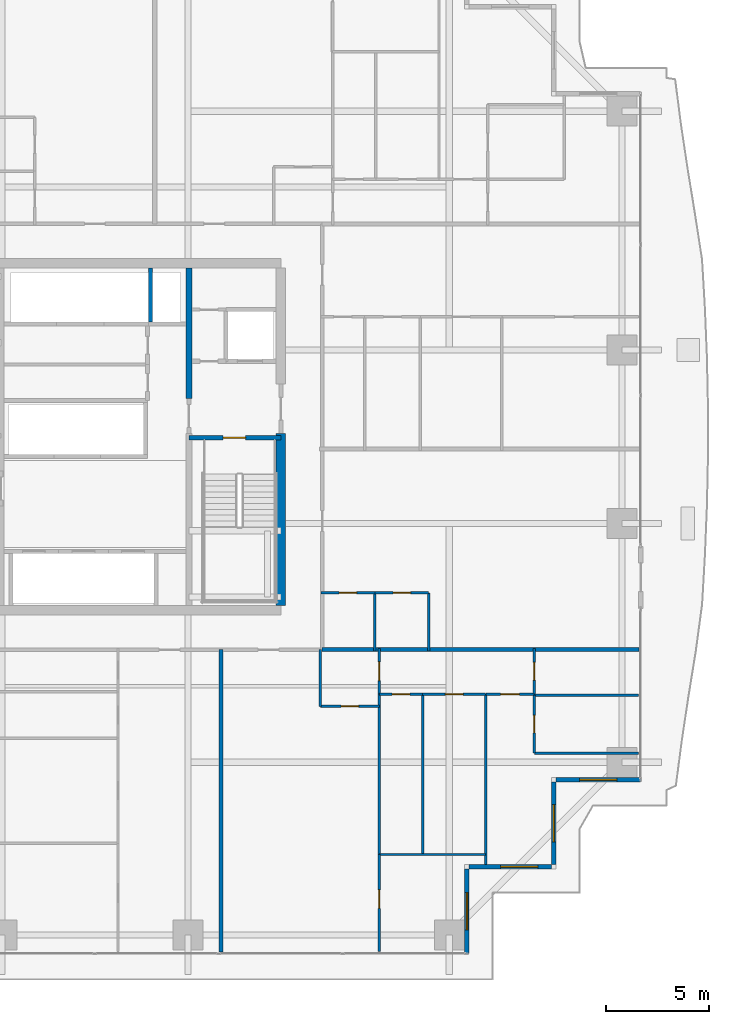
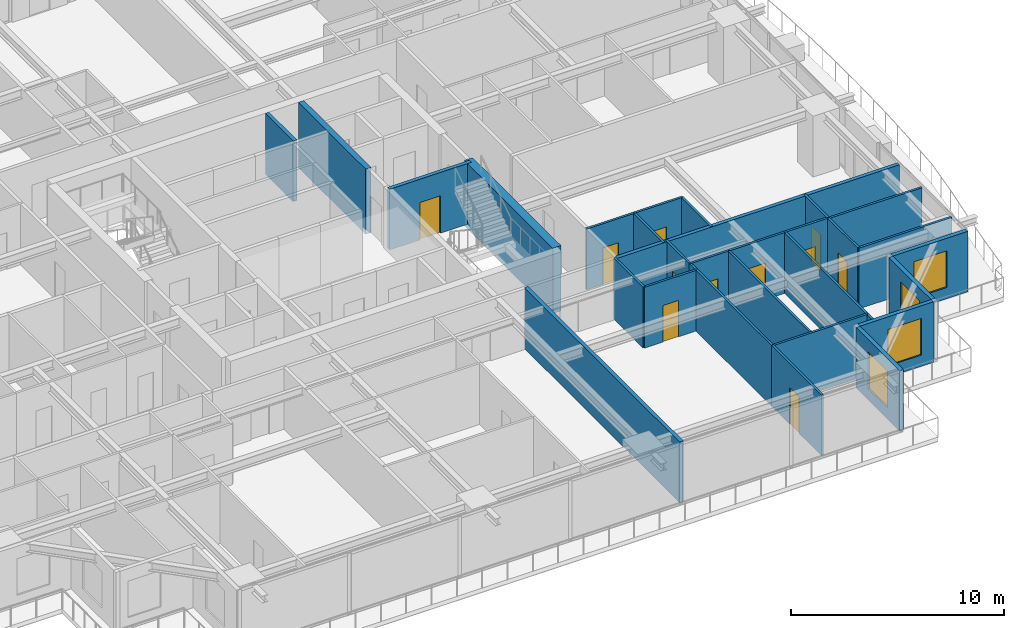
# One storey, part 29 of 38: 29 walls, 11 doors, 4 windows, 15 openings.
"""IFC4 building model written with IfcOpenShell, lengths in metres."""

from ifc_helpers import new_model, si_unit, direction, frame, frame_2d, origin, place, context, subcontext, project, spatial, rectangle, extrude, source, transform, mapped, material, layer, layer_set, type_object, element, fill, save


model = new_model("IFC4")

# Units and contexts
model_context = context("Model", 3, precision=1e-05, world=origin(), true_north=direction((0.0, 1.0)))
body_context = subcontext(model_context, "Body", "Model", "MODEL_VIEW")
ifc_project = project(units=[si_unit("LENGTHUNIT", "METRE"), si_unit("AREAUNIT", "SQUARE_METRE"), si_unit("VOLUMEUNIT", "CUBIC_METRE"), si_unit("PLANEANGLEUNIT", "RADIAN"), si_unit("MASSUNIT", "GRAM", prefix="KILO")], contexts=[model_context])

# Site, building, storey
site_placement = place(None, origin())
site = spatial("IfcSite", under=ifc_project, at=site_placement, CompositionType="ELEMENT")
building_placement = place(site_placement, origin())
building = spatial("IfcBuilding", under=site, at=building_placement, Name="Serunith Strait Residences", CompositionType="ELEMENT")
storey_placement = place(building_placement, frame((0.0, 0.0, 37.949951171875)))
storey = spatial("IfcBuildingStorey", under=building, at=storey_placement, Name="L08", CompositionType="ELEMENT", Elevation=37.949951171875)

# Wall, opening, window
ifc_material_1 = material(Name="Pale-Champagne Aluminium Insulated Panel", Category="aluminium")
ifc_layer_1 = layer(ifc_material_1, 0.219970703125, Name="Pale-Champagne Aluminium Insulated Panel")
ifc_layer_set_1 = layer_set([ifc_layer_1], Name="Pale-Champagne Aluminium Insulated Panel")
wall_type_1 = type_object("IfcWallType", Name="EW-ALUM-220", PredefinedType="ELEMENTEDWALL", material=ifc_layer_set_1)
wall_1_placement = place(storey_placement, frame((50.39990234375, 0.199951171875, 0.0), z_axis=(0.0, 0.0, 1.0), x_axis=(0.0, 1.0, 0.0)))
wall_1 = element("IfcWall", 1, at=wall_1_placement, inside=storey, type_object=wall_type_1, Name="L08 Girih Serrated Corner Wall 02", PredefinedType="ELEMENTEDWALL", context=body_context, shape_type="SweptSolid", body=[
    extrude(rectangle(XDim=4.090087890625, YDim=0.219970703125, at=frame_2d((2.044921875, 0.0))), origin(), (0.0, 0.0, 1.0), 3.47509765625),
])
opening_1_placement = place(wall_1_placement, frame((1.14501953125, 0.0, 0.64990234375)))
opening_1 = element("IfcOpeningElement", 2, at=opening_1_placement, cuts=wall_1, Name="Opening W-01", PredefinedType="OPENING", context=body_context, shape_type="SweptSolid", body=[
    extrude(rectangle(XDim=1.800048828125, YDim=2.10009765625, at=frame_2d((0.89990234375, 1.050048828125))), frame((0.0, 0.1201171875, 0.0), z_axis=(0.0, -1.0, 0.0), x_axis=(1.0, 0.0, 0.0)), (0.0, 0.0, 1.0), 0.239990234375),
])
ifc_material_2 = material(Name="Ceramic-Fritted Operable Aluminium Window Glass", Category="aluminium")
window_type = type_object("IfcWindowType", Name="WIN-C1", PartitioningType="DOUBLE_PANEL_VERTICAL", PredefinedType="WINDOW", material=ifc_material_2)
shared_shape_1 = source(origin(), body_context, "Body", "SweptSolid", [
    extrude(rectangle(XDim=1.800048828125, YDim=2.10009765625, at=frame_2d((0.89990234375, 1.050048828125))), frame((0.0, 0.030029296875, 0.0), z_axis=(0.0, -1.0, 0.0), x_axis=(1.0, 0.0, 0.0)), (0.0, 0.0, 1.0), 0.06005859375),
])
window_1_placement = place(opening_1_placement, origin())
window_1 = element("IfcWindow", 3, at=window_1_placement, inside=storey, type_object=window_type, Name="L08 Corner Operable Fritted Window 02", OverallHeight=2.10009765625, OverallWidth=1.800048828125, PartitioningType="SINGLE_PANEL", PredefinedType="WINDOW", context=body_context, shape_type="MappedRepresentation", body=[
    mapped(shared_shape_1, transform((0.0, 0.0, 0.0), scale=1.0)),
])
fill(opening_1, window_1)

wall_2_placement = place(storey_placement, frame((50.510009765625, 4.39990234375, 0.0), z_axis=(0.0, 0.0, 1.0), x_axis=(1.0, 0.0, 0.0)))
wall_2 = element("IfcWall", 4, at=wall_2_placement, inside=storey, type_object=wall_type_1, Name="L08 Girih Serrated Corner Wall 03", PredefinedType="ELEMENTEDWALL", context=body_context, shape_type="SweptSolid", body=[
    extrude(rectangle(XDim=3.97998046875, YDim=0.219970703125, at=frame_2d((1.989990234375, 0.0))), origin(), (0.0, 0.0, 1.0), 3.47509765625),
])
opening_2_placement = place(wall_2_placement, frame((1.52587890625, 0.0, 0.64990234375)))
opening_2 = element("IfcOpeningElement", 5, at=opening_2_placement, cuts=wall_2, Name="Opening W-01", PredefinedType="OPENING", context=body_context, shape_type="SweptSolid", body=[
    extrude(rectangle(XDim=1.800048828125, YDim=2.10009765625, at=frame_2d((0.89990234375, 1.050048828125))), frame((0.0, 0.1201171875, 0.0), z_axis=(0.0, -1.0, 0.0), x_axis=(1.0, 0.0, 0.0)), (0.0, 0.0, 1.0), 0.239990234375),
])
window_2_placement = place(opening_2_placement, origin())
window_2 = element("IfcWindow", 6, at=window_2_placement, inside=storey, type_object=window_type, Name="L08 Corner Operable Fritted Window 03", OverallHeight=2.10009765625, OverallWidth=1.800048828125, PartitioningType="SINGLE_PANEL", PredefinedType="WINDOW", context=body_context, shape_type="MappedRepresentation", body=[
    mapped(shared_shape_1, transform((0.0, 0.0, 0.0), scale=1.0)),
])
fill(opening_2, window_2)

wall_3_placement = place(storey_placement, frame((54.60009765625, 4.510009765625, 0.0), z_axis=(0.0, 0.0, 1.0), x_axis=(0.0, 1.0, 0.0)))
wall_3 = element("IfcWall", 7, at=wall_3_placement, inside=storey, type_object=wall_type_1, Name="L08 Girih Serrated Corner Wall 04", PredefinedType="ELEMENTEDWALL", context=body_context, shape_type="SweptSolid", body=[
    extrude(rectangle(XDim=3.97998046875, YDim=0.219970703125, at=frame_2d((1.989990234375, 0.0))), origin(), (0.0, 0.0, 1.0), 3.47509765625),
])
opening_3_placement = place(wall_3_placement, frame((1.090087890625, 0.0, 0.64990234375)))
opening_3 = element("IfcOpeningElement", 8, at=opening_3_placement, cuts=wall_3, Name="Opening W-01", PredefinedType="OPENING", context=body_context, shape_type="SweptSolid", body=[
    extrude(rectangle(XDim=1.800048828125, YDim=2.10009765625, at=frame_2d((0.89990234375, 1.050048828125))), frame((0.0, 0.1201171875, 0.0), z_axis=(0.0, -1.0, 0.0), x_axis=(1.0, 0.0, 0.0)), (0.0, 0.0, 1.0), 0.239990234375),
])
window_3_placement = place(opening_3_placement, origin())
window_3 = element("IfcWindow", 9, at=window_3_placement, inside=storey, type_object=window_type, Name="L08 Corner Operable Fritted Window 04", OverallHeight=2.10009765625, OverallWidth=1.800048828125, PartitioningType="SINGLE_PANEL", PredefinedType="WINDOW", context=body_context, shape_type="MappedRepresentation", body=[
    mapped(shared_shape_1, transform((0.0, 0.0, 0.0), scale=1.0)),
])
fill(opening_3, window_3)

wall_4_placement = place(storey_placement, frame((54.7099609375, 8.60009765625, 0.0), z_axis=(0.0, 0.0, 1.0), x_axis=(1.0, 0.0, 0.0)))
wall_4 = element("IfcWall", 10, at=wall_4_placement, inside=storey, type_object=wall_type_1, Name="L08 Girih Serrated Corner Wall 05", PredefinedType="ELEMENTEDWALL", context=body_context, shape_type="SweptSolid", body=[
    extrude(rectangle(XDim=4.090087890625, YDim=0.219970703125, at=frame_2d((2.044921875, 0.0))), origin(), (0.0, 0.0, 1.0), 3.47509765625),
])
opening_4_placement = place(wall_4_placement, frame((1.14501953125, 0.0, 0.64990234375)))
opening_4 = element("IfcOpeningElement", 11, at=opening_4_placement, cuts=wall_4, Name="Opening W-01", PredefinedType="OPENING", context=body_context, shape_type="SweptSolid", body=[
    extrude(rectangle(XDim=1.800048828125, YDim=2.10009765625, at=frame_2d((0.89990234375, 1.050048828125))), frame((0.0, 0.1201171875, 0.0), z_axis=(0.0, -1.0, 0.0), x_axis=(1.0, 0.0, 0.0)), (0.0, 0.0, 1.0), 0.239990234375),
])
window_4_placement = place(opening_4_placement, origin())
window_4 = element("IfcWindow", 12, at=window_4_placement, inside=storey, type_object=window_type, Name="L08 Corner Operable Fritted Window 05", OverallHeight=2.10009765625, OverallWidth=1.800048828125, PartitioningType="SINGLE_PANEL", PredefinedType="WINDOW", context=body_context, shape_type="MappedRepresentation", body=[
    mapped(shared_shape_1, transform((0.0, 0.0, 0.0), scale=1.0)),
])
fill(opening_4, window_4)

# Wall, opening, door
ifc_material_3 = material(Name="Lightweight steel-stud gypsum partition", Category="steel")
ifc_layer_2 = layer(ifc_material_3, 0.1201171875, Name="Lightweight steel-stud gypsum partition")
ifc_layer_set_2 = layer_set([ifc_layer_2], Name="Lightweight steel-stud gypsum partition")
wall_type_2 = type_object("IfcWallType", Name="IW-PART-120", PredefinedType="PARTITIONING", material=ifc_layer_set_2)
wall_5_placement = place(storey_placement, frame((43.31005859375, 12.14990234375, 0.0), z_axis=(0.0, 0.0, 1.0), x_axis=(1.0, 0.0, 0.0)))
wall_5 = element("IfcWall", 13, at=wall_5_placement, inside=storey, type_object=wall_type_2, Name="L08 Partition Wall 053", PredefinedType="PARTITIONING", context=body_context, shape_type="SweptSolid", body=[
    extrude(rectangle(XDim=2.849853515625, YDim=0.1201171875, at=frame_2d((1.4248046875, 0.0))), origin(), (0.0, 0.0, 1.0), 3.489990234375),
])
opening_5_placement = place(wall_5_placement, frame((1.0, 0.0, 0.0)))
opening_5 = element("IfcOpeningElement", 14, at=opening_5_placement, cuts=wall_5, Name="Opening D-RM850", PredefinedType="OPENING", context=body_context, shape_type="SweptSolid", body=[
    extrude(rectangle(XDim=0.85009765625, YDim=2.10009765625, at=frame_2d((0.425048828125, 1.050048828125))), frame((0.0, 0.070068359375, 0.0), z_axis=(0.0, -1.0, 0.0), x_axis=(1.0, 0.0, 0.0)), (0.0, 0.0, 1.0), 0.14013671875),
])
ifc_material_4 = material(Name="Engineered timber flush study and kitchen door", Category="wood")
door_type_1 = type_object("IfcDoorType", Name="ID-ROOM-850", OperationType="NOTDEFINED", PredefinedType="DOOR", material=ifc_material_4)
shared_shape_2 = source(origin(), body_context, "Body", "SweptSolid", [
    extrude(rectangle(XDim=0.85009765625, YDim=2.10009765625, at=frame_2d((0.425048828125, 1.050048828125))), frame((0.0, 0.02490234375, 0.0), z_axis=(0.0, -1.0, 0.0), x_axis=(1.0, 0.0, 0.0)), (0.0, 0.0, 1.0), 0.050048828125),
])
door_1_placement = place(opening_5_placement, origin())
door_1 = element("IfcDoor", 15, at=door_1_placement, inside=storey, type_object=door_type_1, Name="L08 Kitchen 0803 Door", OperationType="SINGLE_SWING_RIGHT", OverallHeight=2.10009765625, OverallWidth=0.85009765625, PredefinedType="DOOR", context=body_context, shape_type="MappedRepresentation", body=[
    mapped(shared_shape_2, transform((0.0, 0.0, 0.0), scale=1.0)),
])
fill(opening_5, door_1)

# Wall
wall_6_placement = place(storey_placement, frame((43.31005859375, 12.14990234375, 0.0), z_axis=(0.0, 0.0, 1.0), x_axis=(0.0, 1.0, 0.0)))
element("IfcWall", 16, at=wall_6_placement, inside=storey, type_object=wall_type_2, Name="L08 Partition Wall 054", PredefinedType="PARTITIONING", context=body_context, shape_type="SweptSolid", body=[
    extrude(rectangle(XDim=2.748046875, YDim=0.1201171875, at=frame_2d((1.3740234375, 0.0))), origin(), (0.0, 0.0, 1.0), 3.489990234375),
])

# Wall, opening, door
wall_7_placement = place(storey_placement, frame((46.159912109375, 12.75, 0.0), z_axis=(0.0, 0.0, 1.0), x_axis=(0.0, 1.0, 0.0)))
wall_7 = element("IfcWall", 17, at=wall_7_placement, inside=storey, type_object=wall_type_2, Name="L08 Partition Wall 055", PredefinedType="PARTITIONING", context=body_context, shape_type="SweptSolid", body=[
    extrude(rectangle(XDim=2.2099609375, YDim=0.1201171875, at=frame_2d((1.10498046875, 0.0))), origin(), (0.0, 0.0, 1.0), 3.489990234375),
])
opening_6_placement = place(wall_7_placement, frame((0.655029296875, 0.0, 0.0)))
opening_6 = element("IfcOpeningElement", 18, at=opening_6_placement, cuts=wall_7, Name="Opening D-RM900", PredefinedType="OPENING", context=body_context, shape_type="SweptSolid", body=[
    extrude(rectangle(XDim=0.89990234375, YDim=2.10009765625, at=frame_2d((0.449951171875, 1.050048828125))), frame((0.0, 0.070068359375, 0.0), z_axis=(0.0, -1.0, 0.0), x_axis=(1.0, 0.0, 0.0)), (0.0, 0.0, 1.0), 0.14013671875),
])
ifc_material_5 = material(Name="Engineered timber flush bedroom door", Category="wood")
door_type_2 = type_object("IfcDoorType", Name="ID-ROOM-900", OperationType="NOTDEFINED", PredefinedType="DOOR", material=ifc_material_5)
shared_shape_3 = source(origin(), body_context, "Body", "SweptSolid", [
    extrude(rectangle(XDim=0.89990234375, YDim=2.10009765625, at=frame_2d((0.449951171875, 1.050048828125))), frame((0.0, 0.02490234375, 0.0), z_axis=(0.0, -1.0, 0.0), x_axis=(1.0, 0.0, 0.0)), (0.0, 0.0, 1.0), 0.050048828125),
])
door_2_placement = place(opening_6_placement, origin())
door_2 = element("IfcDoor", 19, at=door_2_placement, inside=storey, type_object=door_type_2, Name="L08 Hall E 0803 Door", OperationType="SINGLE_SWING_LEFT", OverallHeight=2.10009765625, OverallWidth=0.89990234375, PredefinedType="DOOR", context=body_context, shape_type="MappedRepresentation", body=[
    mapped(shared_shape_3, transform((0.0, 0.0, 0.0), scale=1.0)),
])
fill(opening_6, door_2)

wall_8_placement = place(storey_placement, frame((46.159912109375, 0.294921875, 0.0), z_axis=(0.0, 0.0, 1.0), x_axis=(0.0, 1.0, 0.0)))
wall_8 = element("IfcWall", 20, at=wall_8_placement, inside=storey, type_object=wall_type_2, Name="L08 Partition Wall 056", PredefinedType="PARTITIONING", context=body_context, shape_type="SweptSolid", body=[
    extrude(rectangle(XDim=4.693115234375, YDim=0.1201171875, at=frame_2d((2.3466796875, 0.0))), origin(), (0.0, 0.0, 1.0), 3.489990234375),
])
opening_7_placement = place(wall_8_placement, frame((2.0859375, 0.0, 0.0)))
opening_7 = element("IfcOpeningElement", 21, at=opening_7_placement, cuts=wall_8, Name="Opening D-RM900", PredefinedType="OPENING", context=body_context, shape_type="SweptSolid", body=[
    extrude(rectangle(XDim=0.89990234375, YDim=2.10009765625, at=frame_2d((0.449951171875, 1.050048828125))), frame((0.0, 0.070068359375, 0.0), z_axis=(0.0, -1.0, 0.0), x_axis=(1.0, 0.0, 0.0)), (0.0, 0.0, 1.0), 0.14013671875),
])
door_3_placement = place(opening_7_placement, origin())
door_3 = element("IfcDoor", 22, at=door_3_placement, inside=storey, type_object=door_type_2, Name="L08 Study 1 0803 Door", OperationType="SINGLE_SWING_RIGHT", OverallHeight=2.10009765625, OverallWidth=0.89990234375, PredefinedType="DOOR", context=body_context, shape_type="MappedRepresentation", body=[
    mapped(shared_shape_3, transform((0.0, 0.0, 0.0), scale=1.0)),
])
fill(opening_7, door_3)

# Walls
wall_9_placement = place(storey_placement, frame((46.159912109375, 4.989990234375, 0.0), z_axis=(0.0, 0.0, 1.0), x_axis=(0.0, 1.0, 0.0)))
element("IfcWall", 23, at=wall_9_placement, inside=storey, type_object=wall_type_2, Name="L08 Partition Wall 057", PredefinedType="PARTITIONING", context=body_context, shape_type="SweptSolid", body=[
    extrude(rectangle(XDim=7.758056640625, YDim=0.1201171875, at=frame_2d((3.87890625, 0.0))), origin(), (0.0, 0.0, 1.0), 3.489990234375),
])
wall_10_placement = place(storey_placement, frame((46.159912109375, 4.988037109375, 0.0), z_axis=(0.0, 0.0, 1.0), x_axis=(1.0, 0.0, 0.0)))
element("IfcWall", 24, at=wall_10_placement, inside=storey, type_object=wall_type_2, Name="L08 Partition Wall 058", PredefinedType="PARTITIONING", context=body_context, shape_type="SweptSolid", body=[
    extrude(rectangle(XDim=5.150146484375, YDim=0.1201171875, at=frame_2d((2.5751953125, 0.0))), origin(), (0.0, 0.0, 1.0), 3.489990234375),
])
wall_11_placement = place(storey_placement, frame((51.31005859375, 4.4951171875, 0.0), z_axis=(0.0, 0.0, 1.0), x_axis=(0.0, 1.0, 0.0)))
element("IfcWall", 25, at=wall_11_placement, inside=storey, type_object=wall_type_2, Name="L08 Partition Wall 059", PredefinedType="PARTITIONING", context=body_context, shape_type="SweptSolid", body=[
    extrude(rectangle(XDim=8.2548828125, YDim=0.1201171875, at=frame_2d((4.12744140625, 0.0))), origin(), (0.0, 0.0, 1.0), 3.489990234375),
])
wall_12_placement = place(storey_placement, frame((48.260009765625, 4.988037109375, 0.0), z_axis=(0.0, 0.0, 1.0), x_axis=(0.0, 1.0, 0.0)))
element("IfcWall", 26, at=wall_12_placement, inside=storey, type_object=wall_type_2, Name="L08 Partition Wall 060", PredefinedType="PARTITIONING", context=body_context, shape_type="SweptSolid", body=[
    extrude(rectangle(XDim=7.761962890625, YDim=0.1201171875, at=frame_2d((3.880859375, 0.0))), origin(), (0.0, 0.0, 1.0), 3.489990234375),
])

# Wall, opening, door
wall_13_placement = place(storey_placement, frame((46.159912109375, 12.75, 0.0), z_axis=(0.0, 0.0, 1.0), x_axis=(1.0, 0.0, 0.0)))
wall_13 = element("IfcWall", 27, at=wall_13_placement, inside=storey, type_object=wall_type_2, Name="L08 Partition Wall 061", PredefinedType="PARTITIONING", context=body_context, shape_type="SweptSolid", body=[
    extrude(rectangle(XDim=2.10009765625, YDim=0.1201171875, at=frame_2d((1.050048828125, 0.0))), origin(), (0.0, 0.0, 1.0), 3.489990234375),
])
opening_8_placement = place(wall_13_placement, frame((0.625, 0.0, 0.0)))
opening_8 = element("IfcOpeningElement", 28, at=opening_8_placement, cuts=wall_13, Name="Opening D-BTH850", PredefinedType="OPENING", context=body_context, shape_type="SweptSolid", body=[
    extrude(rectangle(XDim=0.85009765625, YDim=2.10009765625, at=frame_2d((0.425048828125, 1.050048828125))), frame((0.0, 0.070068359375, 0.0), z_axis=(0.0, -1.0, 0.0), x_axis=(1.0, 0.0, 0.0)), (0.0, 0.0, 1.0), 0.14013671875),
])
ifc_material_6 = material(Name="Moisture-resistant timber bathroom door", Category="wood")
door_type_3 = type_object("IfcDoorType", Name="ID-BATH-850", OperationType="NOTDEFINED", PredefinedType="DOOR", material=ifc_material_6)
door_4_placement = place(opening_8_placement, origin())
door_4 = element("IfcDoor", 29, at=door_4_placement, inside=storey, type_object=door_type_3, Name="L08 Bathroom 0803 Door", OperationType="SINGLE_SWING_LEFT", OverallHeight=2.10009765625, OverallWidth=0.85009765625, PredefinedType="DOOR", context=body_context, shape_type="MappedRepresentation", body=[
    mapped(shared_shape_2, transform((0.0, 0.0, 0.0), scale=1.0)),
])
fill(opening_8, door_4)

wall_14_placement = place(storey_placement, frame((48.261962890625, 12.75, 0.0), z_axis=(0.0, 0.0, 1.0), x_axis=(1.0, 0.0, 0.0)))
wall_14 = element("IfcWall", 30, at=wall_14_placement, inside=storey, type_object=wall_type_2, Name="L08 Partition Wall 062", PredefinedType="PARTITIONING", context=body_context, shape_type="SweptSolid", body=[
    extrude(rectangle(XDim=3.048095703125, YDim=0.1201171875, at=frame_2d((1.52392578125, 0.0))), origin(), (0.0, 0.0, 1.0), 3.489990234375),
])
opening_9_placement = place(wall_14_placement, frame((1.09912109375, 0.0, 0.0)))
opening_9 = element("IfcOpeningElement", 31, at=opening_9_placement, cuts=wall_14, Name="Opening D-RM850", PredefinedType="OPENING", context=body_context, shape_type="SweptSolid", body=[
    extrude(rectangle(XDim=0.85009765625, YDim=2.10009765625, at=frame_2d((0.425048828125, 1.050048828125))), frame((0.0, 0.070068359375, 0.0), z_axis=(0.0, -1.0, 0.0), x_axis=(1.0, 0.0, 0.0)), (0.0, 0.0, 1.0), 0.14013671875),
])
door_5_placement = place(opening_9_placement, origin())
door_5 = element("IfcDoor", 32, at=door_5_placement, inside=storey, type_object=door_type_1, Name="L08 Study 0803 Door", OperationType="SINGLE_SWING_RIGHT", OverallHeight=2.10009765625, OverallWidth=0.85009765625, PredefinedType="DOOR", context=body_context, shape_type="MappedRepresentation", body=[
    mapped(shared_shape_2, transform((0.0, 0.0, 0.0), scale=1.0)),
])
fill(opening_9, door_5)

wall_15_placement = place(storey_placement, frame((51.31201171875, 12.75, 0.0), z_axis=(0.0, 0.0, 1.0), x_axis=(1.0, 0.0, 0.0)))
wall_15 = element("IfcWall", 33, at=wall_15_placement, inside=storey, type_object=wall_type_2, Name="L08 Partition Wall 063", PredefinedType="PARTITIONING", context=body_context, shape_type="SweptSolid", body=[
    extrude(rectangle(XDim=2.347900390625, YDim=0.1201171875, at=frame_2d((1.173828125, 0.0))), origin(), (0.0, 0.0, 1.0), 3.489990234375),
])
opening_10_placement = place(wall_15_placement, frame((0.72412109375, 0.0, 0.0)))
opening_10 = element("IfcOpeningElement", 34, at=opening_10_placement, cuts=wall_15, Name="Opening D-RM900", PredefinedType="OPENING", context=body_context, shape_type="SweptSolid", body=[
    extrude(rectangle(XDim=0.89990234375, YDim=2.10009765625, at=frame_2d((0.449951171875, 1.050048828125))), frame((0.0, 0.070068359375, 0.0), z_axis=(0.0, -1.0, 0.0), x_axis=(1.0, 0.0, 0.0)), (0.0, 0.0, 1.0), 0.14013671875),
])
door_6_placement = place(opening_10_placement, origin())
door_6 = element("IfcDoor", 35, at=door_6_placement, inside=storey, type_object=door_type_2, Name="L08 Master Bedroom E 0803 Door", OperationType="SINGLE_SWING_LEFT", OverallHeight=2.10009765625, OverallWidth=0.89990234375, PredefinedType="DOOR", context=body_context, shape_type="MappedRepresentation", body=[
    mapped(shared_shape_3, transform((0.0, 0.0, 0.0), scale=1.0)),
])
fill(opening_10, door_6)

# Walls
wall_16_placement = place(storey_placement, frame((53.659912109375, 9.89404296875, 0.0), z_axis=(0.0, 0.0, 1.0), x_axis=(1.0, 0.0, 0.0)))
element("IfcWall", 36, at=wall_16_placement, inside=storey, type_object=wall_type_2, Name="L08 Partition Wall 064", PredefinedType="PARTITIONING", context=body_context, shape_type="SweptSolid", body=[
    extrude(rectangle(XDim=5.045166015625, YDim=0.1201171875, at=frame_2d((2.5224609375, 0.0))), origin(), (0.0, 0.0, 1.0), 3.489990234375),
])
wall_17_placement = place(storey_placement, frame((53.662109375, 12.701904296875, 0.0), z_axis=(0.0, 0.0, 1.0), x_axis=(1.0, 0.0, 0.0)))
element("IfcWall", 37, at=wall_17_placement, inside=storey, type_object=wall_type_2, Name="L08 Partition Wall 065", PredefinedType="PARTITIONING", context=body_context, shape_type="SweptSolid", body=[
    extrude(rectangle(XDim=5.04296875, YDim=0.1201171875, at=frame_2d((2.521484375, 0.0))), origin(), (0.0, 0.0, 1.0), 3.489990234375),
])

# Wall, opening, door
wall_18_placement = place(storey_placement, frame((53.659912109375, 9.89404296875, 0.0), z_axis=(0.0, 0.0, 1.0), x_axis=(0.0, 1.0, 0.0)))
wall_18 = element("IfcWall", 38, at=wall_18_placement, inside=storey, type_object=wall_type_2, Name="L08 Partition Wall 066", PredefinedType="PARTITIONING", context=body_context, shape_type="SweptSolid", body=[
    extrude(rectangle(XDim=2.807861328125, YDim=0.1201171875, at=frame_2d((1.40380859375, 0.0))), origin(), (0.0, 0.0, 1.0), 3.489990234375),
])
opening_11_placement = place(wall_18_placement, frame((0.97900390625, 0.0, 0.0)))
opening_11 = element("IfcOpeningElement", 39, at=opening_11_placement, cuts=wall_18, Name="Opening D-BTH850", PredefinedType="OPENING", context=body_context, shape_type="SweptSolid", body=[
    extrude(rectangle(XDim=0.85009765625, YDim=2.10009765625, at=frame_2d((0.425048828125, 1.050048828125))), frame((0.0, 0.070068359375, 0.0), z_axis=(0.0, -1.0, 0.0), x_axis=(1.0, 0.0, 0.0)), (0.0, 0.0, 1.0), 0.14013671875),
])
door_7_placement = place(opening_11_placement, origin())
door_7 = element("IfcDoor", 40, at=door_7_placement, inside=storey, type_object=door_type_3, Name="L08 En-suite Bathroom E 0803 Door", OperationType="SINGLE_SWING_RIGHT", OverallHeight=2.10009765625, OverallWidth=0.85009765625, PredefinedType="DOOR", context=body_context, shape_type="MappedRepresentation", body=[
    mapped(shared_shape_2, transform((0.0, 0.0, 0.0), scale=1.0)),
])
fill(opening_11, door_7)

wall_19_placement = place(storey_placement, frame((53.659912109375, 12.75, 0.0), z_axis=(0.0, 0.0, 1.0), x_axis=(0.0, 1.0, 0.0)))
wall_19 = element("IfcWall", 41, at=wall_19_placement, inside=storey, type_object=wall_type_2, Name="L08 Partition Wall 067", PredefinedType="PARTITIONING", context=body_context, shape_type="SweptSolid", body=[
    extrude(rectangle(XDim=2.2099609375, YDim=0.1201171875, at=frame_2d((1.10498046875, 0.0))), origin(), (0.0, 0.0, 1.0), 3.489990234375),
])
opening_12_placement = place(wall_19_placement, frame((0.679931640625, 0.0, 0.0)))
opening_12 = element("IfcOpeningElement", 42, at=opening_12_placement, cuts=wall_19, Name="Opening D-RM850", PredefinedType="OPENING", context=body_context, shape_type="SweptSolid", body=[
    extrude(rectangle(XDim=0.85009765625, YDim=2.10009765625, at=frame_2d((0.425048828125, 1.050048828125))), frame((0.0, 0.070068359375, 0.0), z_axis=(0.0, -1.0, 0.0), x_axis=(1.0, 0.0, 0.0)), (0.0, 0.0, 1.0), 0.14013671875),
])
door_8_placement = place(opening_12_placement, origin())
door_8 = element("IfcDoor", 43, at=door_8_placement, inside=storey, type_object=door_type_1, Name="L08 Wardrobe E 0803 Door", OperationType="SINGLE_SWING_LEFT", OverallHeight=2.10009765625, OverallWidth=0.85009765625, PredefinedType="DOOR", context=body_context, shape_type="MappedRepresentation", body=[
    mapped(shared_shape_2, transform((0.0, 0.0, 0.0), scale=1.0)),
])
fill(opening_12, door_8)

wall_20_placement = place(storey_placement, frame((48.550048828125, 17.64990234375, 0.0), z_axis=(0.0, 0.0, 1.0), x_axis=(-1.0, 0.0, 0.0)))
wall_20 = element("IfcWall", 44, at=wall_20_placement, inside=storey, type_object=wall_type_2, Name="L08 Partition Wall 114", PredefinedType="PARTITIONING", context=body_context, shape_type="SweptSolid", body=[
    extrude(rectangle(XDim=2.60009765625, YDim=0.1201171875, at=frame_2d((1.300048828125, 0.0))), origin(), (0.0, 0.0, 1.0), 3.489990234375),
])
opening_13_placement = place(wall_20_placement, frame((0.875, 0.0, 0.0)))
opening_13 = element("IfcOpeningElement", 45, at=opening_13_placement, cuts=wall_20, Name="Opening D-RM850", PredefinedType="OPENING", context=body_context, shape_type="SweptSolid", body=[
    extrude(rectangle(XDim=0.85009765625, YDim=2.10009765625, at=frame_2d((0.425048828125, 1.050048828125))), frame((0.0, 0.070068359375, 0.0), z_axis=(0.0, -1.0, 0.0), x_axis=(1.0, 0.0, 0.0)), (0.0, 0.0, 1.0), 0.14013671875),
])
door_9_placement = place(opening_13_placement, origin())
door_9 = element("IfcDoor", 46, at=door_9_placement, inside=storey, type_object=door_type_1, Name="L08 Kitchen 0809 Door", OperationType="SINGLE_SWING_RIGHT", OverallHeight=2.10009765625, OverallWidth=0.85009765625, PredefinedType="DOOR", context=body_context, shape_type="MappedRepresentation", body=[
    mapped(shared_shape_2, transform((0.0, 0.0, 0.0), scale=1.0)),
])
fill(opening_13, door_9)

wall_21_placement = place(storey_placement, frame((45.947998046875, 17.64990234375, 0.0), z_axis=(0.0, 0.0, 1.0), x_axis=(-1.0, 0.0, 0.0)))
wall_21 = element("IfcWall", 47, at=wall_21_placement, inside=storey, type_object=wall_type_2, Name="L08 Partition Wall 115", PredefinedType="PARTITIONING", context=body_context, shape_type="SweptSolid", body=[
    extrude(rectangle(XDim=2.60791015625, YDim=0.1201171875, at=frame_2d((1.303955078125, 0.0))), origin(), (0.0, 0.0, 1.0), 3.489990234375),
])
opening_14_placement = place(wall_21_placement, frame((0.87890625, 0.0, 0.0)))
opening_14 = element("IfcOpeningElement", 48, at=opening_14_placement, cuts=wall_21, Name="Opening D-BTH850", PredefinedType="OPENING", context=body_context, shape_type="SweptSolid", body=[
    extrude(rectangle(XDim=0.85009765625, YDim=2.10009765625, at=frame_2d((0.425048828125, 1.050048828125))), frame((0.0, 0.070068359375, 0.0), z_axis=(0.0, -1.0, 0.0), x_axis=(1.0, 0.0, 0.0)), (0.0, 0.0, 1.0), 0.14013671875),
])
door_10_placement = place(opening_14_placement, origin())
door_10 = element("IfcDoor", 49, at=door_10_placement, inside=storey, type_object=door_type_3, Name="L08 Bathroom 0809 Door", OperationType="SINGLE_SWING_LEFT", OverallHeight=2.10009765625, OverallWidth=0.85009765625, PredefinedType="DOOR", context=body_context, shape_type="MappedRepresentation", body=[
    mapped(shared_shape_2, transform((0.0, 0.0, 0.0), scale=1.0)),
])
fill(opening_14, door_10)

# Walls
for number, where, z_axis, x_axis, name in (
    (50, (45.949951171875, 14.840087890625, 0.0), (0.0, 0.0, 1.0), (0.0, 1.0, 0.0), "L08 Partition Wall 116"),
    (51, (48.550048828125, 14.840087890625, 0.0), (0.0, 0.0, 1.0), (0.0, 1.0, 0.0), "L08 Partition Wall 117"),
):
    element("IfcWall", number, at=place(storey_placement, frame(where, z_axis=z_axis, x_axis=x_axis)), inside=storey, type_object=wall_type_2, Name=name, PredefinedType="PARTITIONING", context=body_context, shape_type="SweptSolid", body=[
        extrude(rectangle(XDim=2.809814453125, YDim=0.1201171875, at=frame_2d((1.40478515625, 0.0))), origin(), (0.0, 0.0, 1.0), 3.489990234375),
    ])
ifc_material_7 = material(Name="Twin-stud acoustic gypsum board partition")
ifc_layer_3 = layer(ifc_material_7, 0.199951171875, Name="Twin-stud acoustic gypsum board partition")
ifc_layer_set_3 = layer_set([ifc_layer_3], Name="Twin-stud acoustic gypsum board partition")
wall_type_3 = type_object("IfcWallType", Name="IW-PARTY-200", PredefinedType="PARTITIONING", material=ifc_layer_set_3)
wall_22_placement = place(storey_placement, frame((38.5, 0.281982421875, 0.0), z_axis=(0.0, 0.0, 1.0), x_axis=(0.0, 1.0, 0.0)))
element("IfcWall", 52, at=wall_22_placement, inside=storey, type_object=wall_type_3, Name="L08 Partition Wall 018", PredefinedType="PARTITIONING", context=body_context, shape_type="SweptSolid", body=[
    extrude(rectangle(XDim=14.617919921875, YDim=0.199951171875, at=frame_2d((7.30908203125, 0.0))), origin(), (0.0, 0.0, 1.0), 3.489990234375),
])
wall_23_placement = place(storey_placement, frame((43.39990234375, 14.89990234375, 0.0), z_axis=(0.0, 0.0, 1.0), x_axis=(1.0, 0.0, 0.0)))
element("IfcWall", 53, at=wall_23_placement, inside=storey, type_object=wall_type_3, Name="L08 Partition Wall 024", PredefinedType="PARTITIONING", context=body_context, shape_type="SweptSolid", body=[
    extrude(rectangle(XDim=15.318115234375, YDim=0.199951171875, at=frame_2d((7.6591796875, 0.0))), origin(), (0.0, 0.0, 1.0), 3.489990234375),
])

# Wall, opening, door
ifc_material_8 = material(Name="Autoclaved aerated concrete blockwork", Category="masonry")
ifc_layer_4 = layer(ifc_material_8, 0.199951171875, Name="Autoclaved aerated concrete blockwork")
ifc_layer_set_4 = layer_set([ifc_layer_4], Name="Autoclaved aerated concrete blockwork")
wall_type_4 = type_object("IfcWallType", Name="IW-SHAFT-200", PredefinedType="STANDARD", material=ifc_layer_set_4)
wall_24_placement = place(storey_placement, frame((36.949951171875, 25.14990234375, 0.0), z_axis=(0.0, 0.0, 1.0), x_axis=(1.0, 0.0, 0.0)))
wall_24 = element("IfcWall", 54, at=wall_24_placement, inside=storey, type_object=wall_type_4, Name="L08 ST-2 North Shaft Wall", PredefinedType="STANDARD", context=body_context, shape_type="SweptSolid", body=[
    extrude(rectangle(XDim=4.449951171875, YDim=0.199951171875, at=frame_2d((2.22509765625, 0.0))), origin(), (0.0, 0.0, 1.0), 3.489990234375),
])
opening_15_placement = place(wall_24_placement, frame((1.64990234375, 0.0, 0.0)))
opening_15 = element("IfcOpeningElement", 55, at=opening_15_placement, cuts=wall_24, Name="Opening FD-1100", PredefinedType="OPENING", context=body_context, shape_type="SweptSolid", body=[
    extrude(rectangle(XDim=1.10009765625, YDim=2.14990234375, at=frame_2d((0.550048828125, 1.074951171875))), frame((0.0, 0.10986328125, 0.0), z_axis=(0.0, -1.0, 0.0), x_axis=(1.0, 0.0, 0.0)), (0.0, 0.0, 1.0), 0.219970703125),
])
ifc_material_9 = material(Name="Galvanised steel fire door leaf", Category="steel")
door_type_4 = type_object("IfcDoorType", Name="FD-STAIR-1100", OperationType="NOTDEFINED", PredefinedType="DOOR", material=ifc_material_9)
shared_shape_4 = source(origin(), body_context, "Body", "SweptSolid", [
    extrude(rectangle(XDim=1.10009765625, YDim=2.14990234375, at=frame_2d((0.550048828125, 1.074951171875))), frame((0.0, 0.02490234375, 0.0), z_axis=(0.0, -1.0, 0.0), x_axis=(1.0, 0.0, 0.0)), (0.0, 0.0, 1.0), 0.050048828125),
])
door_11_placement = place(opening_15_placement, origin())
door_11 = element("IfcDoor", 56, at=door_11_placement, inside=storey, type_object=door_type_4, Name="L08 ST-2 Escape Stair Door", OperationType="SINGLE_SWING_LEFT", OverallHeight=2.14990234375, OverallWidth=1.10009765625, PredefinedType="DOOR", context=body_context, shape_type="MappedRepresentation", body=[
    mapped(shared_shape_4, transform((0.0, 0.0, 0.0), scale=1.0)),
])
fill(opening_15, door_11)

# Walls
wall_25_placement = place(storey_placement, frame((35.10009765625, 30.75, 0.0), z_axis=(0.0, 0.0, 1.0), x_axis=(0.0, 1.0, 0.0)))
element("IfcWall", 57, at=wall_25_placement, inside=storey, type_object=wall_type_4, Name="L08 SL-1 West Shaft Wall", PredefinedType="STANDARD", context=body_context, shape_type="SweptSolid", body=[
    extrude(rectangle(XDim=2.625, YDim=0.199951171875, at=frame_2d((1.3125, 0.0))), origin(), (0.0, 0.0, 1.0), 3.489990234375),
])
ifc_material_10 = material(Name="Concrete C80/95", Category="concrete")
ifc_layer_5 = layer(ifc_material_10, 0.300048828125, Name="Concrete C80/95")
ifc_layer_set_5 = layer_set([ifc_layer_5], Name="Concrete C80/95")
wall_type_5 = type_object("IfcWallType", Name="SW-300-C80", PredefinedType="SHEAR", material=ifc_layer_set_5)
wall_26_placement = place(storey_placement, frame((36.949951171875, 27.050048828125, -0.260009765625), z_axis=(0.0, 0.0, 1.0), x_axis=(0.0, 1.0, 0.0)))
element("IfcWall", 58, at=wall_26_placement, inside=storey, type_object=wall_type_5, Name="L08 Core Internal East Web North Pier", PredefinedType="SHEAR", context=body_context, shape_type="SweptSolid", body=[
    extrude(rectangle(XDim=6.324951171875, YDim=0.300048828125, at=frame_2d((3.16259765625, 0.0))), origin(), (0.0, 0.0, 1.0), 3.748046875),
])
ifc_layer_6 = layer(ifc_material_10, 0.449951171875, Name="Concrete C80/95")
ifc_layer_set_6 = layer_set([ifc_layer_6], Name="Concrete C80/95")
wall_type_6 = type_object("IfcWallType", Name="SW-450-C80", PredefinedType="SHEAR", material=ifc_layer_set_6)
wall_27_placement = place(storey_placement, frame((41.39990234375, 17.02490234375, -0.260009765625), z_axis=(0.0, 0.0, 1.0), x_axis=(0.0, 1.0, 0.0)))
element("IfcWall", 59, at=wall_27_placement, inside=storey, type_object=wall_type_6, Name="L08 Core East Shear Wall South Pier", PredefinedType="SHEAR", context=body_context, shape_type="SweptSolid", body=[
    extrude(rectangle(XDim=8.3251953125, YDim=0.449951171875, at=frame_2d((4.16259765625, 0.0))), origin(), (0.0, 0.0, 1.0), 3.748046875),
])

save(model, "model.ifc")
